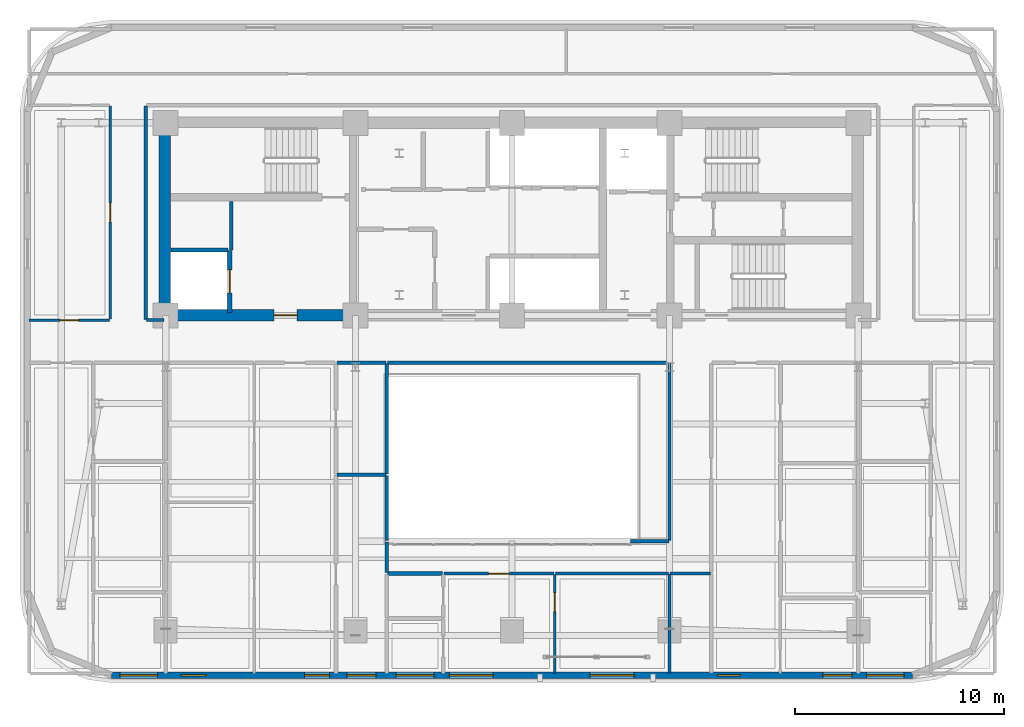
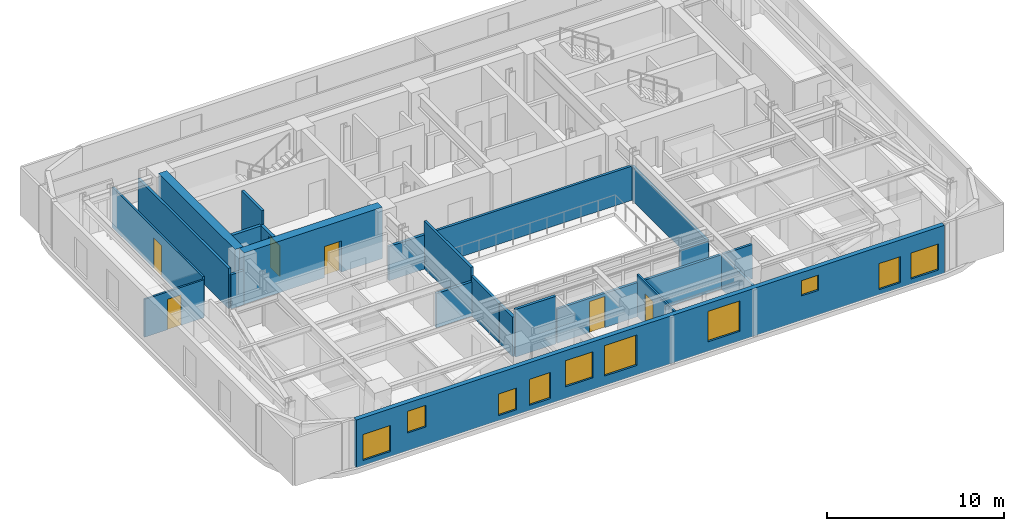
# One storey, part 7 of 13: 24 walls, 10 windows, 6 doors, 16 openings.
"""IFC4 building model written with IfcOpenShell, lengths in metres."""

from ifc_helpers import new_model, si_unit, direction, frame, frame_2d, origin, place, context, subcontext, project, spatial, rectangle, extrude, material, layer, layer_set, type_object, element, fill, save


model = new_model("IFC4")

# Units and contexts
model_context = context("Model", 3, precision=1e-05, world=origin(), true_north=direction((0.0, 1.0)))
body_context = subcontext(model_context, "Body", "Model", "MODEL_VIEW")
ifc_project = project(units=[si_unit("LENGTHUNIT", "METRE"), si_unit("AREAUNIT", "SQUARE_METRE"), si_unit("VOLUMEUNIT", "CUBIC_METRE"), si_unit("PLANEANGLEUNIT", "RADIAN"), si_unit("MASSUNIT", "GRAM", prefix="KILO")], contexts=[model_context])

# Site, building, storey
site_placement = place(None, origin())
site = spatial("IfcSite", under=ifc_project, at=site_placement, CompositionType="ELEMENT")
building_placement = place(site_placement, origin())
building = spatial("IfcBuilding", under=site, at=building_placement, Name="Zarnavel Station Tower", CompositionType="ELEMENT")
storey_placement = place(building_placement, frame((0.0, 0.0, 148.35009765625)))
storey = spatial("IfcBuildingStorey", under=building, at=storey_placement, Name="L40", CompositionType="ELEMENT", Elevation=148.35009765625)

# Wall, opening, door
ifc_material_1 = material(Name="Concrete C50/60", Category="concrete")
ifc_layer_1 = layer(ifc_material_1, 0.550048828125)
ifc_layer_set_1 = layer_set([ifc_layer_1], Name="CW_550")
wall_type_1 = type_object("IfcWallType", Name="CW_550", PredefinedType="SHEAR", material=ifc_layer_set_1)
wall_1_placement = place(storey_placement, frame((21.179931640625, 27.820068359375, 0.0), z_axis=(0.0, 0.0, 1.0), x_axis=(-1.0, 0.0, 0.0)))
wall_1 = element("IfcWall", 1, at=wall_1_placement, inside=storey, type_object=wall_type_1, Name="L40 Rear Core Shear Wall S-W", PredefinedType="SHEAR", context=body_context, shape_type="SweptSolid", body=[
    extrude(rectangle(XDim=9.030029296875, YDim=0.550048828125, at=frame_2d((4.51513671875, 0.0))), origin(), (0.0, 0.0, 1.0), 3.5498046875),
])
opening_1_placement = place(wall_1_placement, frame((2.679931640625, 0.0, 0.0)))
opening_1 = element("IfcOpeningElement", 2, at=opening_1_placement, cuts=wall_1, Name="Opening FD01", PredefinedType="OPENING", context=body_context, shape_type="SweptSolid", body=[
    extrude(rectangle(XDim=1.10009765625, YDim=2.14990234375, at=frame_2d((0.550048828125, 1.074951171875))), frame((0.0, 0.284912109375, 0.0), z_axis=(0.0, -1.0, 0.0), x_axis=(1.0, 0.0, 0.0)), (0.0, 0.0, 1.0), 0.570068359375),
])
ifc_material_2 = material(Name="Painted Galvanised Steel and Hardwood Leaf", Category="steel")
door_type_1 = type_object("IfcDoorType", Name="ID_STAIR_1100", OperationType="NOTDEFINED", PredefinedType="DOOR", material=ifc_material_2)
door_1_placement = place(opening_1_placement, origin())
door_1 = element("IfcDoor", 3, at=door_1_placement, inside=storey, type_object=door_type_1, Name="L40 West Firefighting Lobby Door", OperationType="SINGLE_SWING_RIGHT", OverallHeight=2.14990234375, OverallWidth=1.10009765625, PredefinedType="DOOR", context=body_context, shape_type="SweptSolid", body=[
    extrude(rectangle(XDim=1.10009765625, YDim=2.14990234375, at=frame_2d((0.550048828125, 1.074951171875))), frame((0.0, 0.02490234375, 0.0), z_axis=(0.0, -1.0, 0.0), x_axis=(1.0, 0.0, 0.0)), (0.0, 0.0, 1.0), 0.050048828125),
])
fill(opening_1, door_1)

# Wall
wall_2_placement = place(storey_placement, frame((12.14990234375, 28.094970703125, 0.0), z_axis=(0.0, 0.0, 1.0), x_axis=(0.0, 1.0, 0.0)))
element("IfcWall", 4, at=wall_2_placement, inside=storey, type_object=wall_type_1, Name="L40 Rear Core Shear Wall W", PredefinedType="SHEAR", context=body_context, shape_type="SweptSolid", body=[
    extrude(rectangle(XDim=8.679931640625, YDim=0.550048828125, at=frame_2d((4.33984375, 0.0))), origin(), (0.0, 0.0, 1.0), 3.5498046875),
])

# Wall, openings, windows
ifc_material_3 = material(Name="Precast concrete C45/55 (Dark Basalt Finish)", Category="masonry")
ifc_layer_2 = layer(ifc_material_3, 0.300048828125)
ifc_layer_set_2 = layer_set([ifc_layer_2], Name="EW_BASALT_300")
wall_type_2 = type_object("IfcWallType", Name="EW_BASALT_300", PredefinedType="SOLIDWALL", material=ifc_layer_set_2)
wall_3_placement = place(storey_placement, frame((48.0, 10.580078125, 0.0), z_axis=(0.0, 0.0, 1.0), x_axis=(-1.0, 0.0, 0.0)))
wall_3 = element("IfcWall", 5, at=wall_3_placement, inside=storey, type_object=wall_type_2, Name="L40 Exterior Basalt Masonry Frame Wall 12", PredefinedType="SOLIDWALL", context=body_context, shape_type="SweptSolid", body=[
    extrude(rectangle(XDim=38.39990234375, YDim=0.300048828125, at=frame_2d((19.199951171875, 0.0))), origin(), (0.0, 0.0, 1.0), 3.289794921875),
])
opening_2_placement = place(wall_3_placement, frame((36.18994140625, 0.0, 0.340087890625)))
opening_2 = element("IfcOpeningElement", 6, at=opening_2_placement, cuts=wall_3, Name="Opening WN02", PredefinedType="OPENING", context=body_context, shape_type="SweptSolid", body=[
    extrude(rectangle(XDim=1.800048828125, YDim=1.800048828125, at=frame_2d((0.89990234375, 0.89990234375))), frame((0.0, 0.159912109375, 0.0), z_axis=(0.0, -1.0, 0.0), x_axis=(1.0, 0.0, 0.0)), (0.0, 0.0, 1.0), 0.320068359375),
])
opening_3_placement = place(wall_3_placement, frame((27.93798828125, 0.0, 0.340087890625)))
opening_3 = element("IfcOpeningElement", 7, at=opening_3_placement, cuts=wall_3, Name="Opening WN08", PredefinedType="OPENING", context=body_context, shape_type="SweptSolid", body=[
    extrude(rectangle(XDim=1.199951171875, YDim=1.5, at=frame_2d((0.60009765625, 0.75))), frame((0.0, 0.159912109375, 0.0), z_axis=(0.0, -1.0, 0.0), x_axis=(1.0, 0.0, 0.0)), (0.0, 0.0, 1.0), 0.320068359375),
])
opening_4_placement = place(wall_3_placement, frame((25.718994140625, 0.0, 0.340087890625)))
opening_4 = element("IfcOpeningElement", 8, at=opening_4_placement, cuts=wall_3, Name="Opening WN01", PredefinedType="OPENING", context=body_context, shape_type="SweptSolid", body=[
    extrude(rectangle(XDim=1.39990234375, YDim=1.800048828125, at=frame_2d((0.699951171875, 0.89990234375))), frame((0.0, 0.159912109375, 0.0), z_axis=(0.0, -1.0, 0.0), x_axis=(1.0, 0.0, 0.0)), (0.0, 0.0, 1.0), 0.320068359375),
])
opening_5_placement = place(wall_3_placement, frame((33.86083984375, 0.0, 1.219970703125)))
opening_5 = element("IfcOpeningElement", 9, at=opening_5_placement, cuts=wall_3, Name="Opening WN08", PredefinedType="OPENING", context=body_context, shape_type="SweptSolid", body=[
    extrude(rectangle(XDim=1.199951171875, YDim=1.5, at=frame_2d((0.60009765625, 0.75))), frame((0.0, 0.159912109375, 0.0), z_axis=(0.0, -1.0, 0.0), x_axis=(1.0, 0.0, 0.0)), (0.0, 0.0, 1.0), 0.320068359375),
])
opening_6_placement = place(wall_3_placement, frame((20.10009765625, 0.0, 0.64990234375)))
opening_6 = element("IfcOpeningElement", 10, at=opening_6_placement, cuts=wall_3, Name="Opening WN05", PredefinedType="OPENING", context=body_context, shape_type="SweptSolid", body=[
    extrude(rectangle(XDim=2.10009765625, YDim=2.10009765625, at=frame_2d((1.050048828125, 1.050048828125))), frame((0.0, 0.159912109375, 0.0), z_axis=(0.0, -1.0, 0.0), x_axis=(1.0, 0.0, 0.0)), (0.0, 0.0, 1.0), 0.320068359375),
])
opening_7_placement = place(wall_3_placement, frame((22.949951171875, 0.0, 0.800048828125)))
opening_7 = element("IfcOpeningElement", 11, at=opening_7_placement, cuts=wall_3, Name="Opening WN02", PredefinedType="OPENING", context=body_context, shape_type="SweptSolid", body=[
    extrude(rectangle(XDim=1.800048828125, YDim=1.800048828125, at=frame_2d((0.89990234375, 0.89990234375))), frame((0.0, 0.159912109375, 0.0), z_axis=(0.0, -1.0, 0.0), x_axis=(1.0, 0.0, 0.0)), (0.0, 0.0, 1.0), 0.320068359375),
])
opening_8_placement = place(wall_3_placement, frame((13.35009765625, 0.0, 0.64990234375)))
opening_8 = element("IfcOpeningElement", 12, at=opening_8_placement, cuts=wall_3, Name="Opening WN05", PredefinedType="OPENING", context=body_context, shape_type="SweptSolid", body=[
    extrude(rectangle(XDim=2.10009765625, YDim=2.10009765625, at=frame_2d((1.050048828125, 1.050048828125))), frame((0.0, 0.159912109375, 0.0), z_axis=(0.0, -1.0, 0.0), x_axis=(1.0, 0.0, 0.0)), (0.0, 0.0, 1.0), 0.320068359375),
])
opening_9_placement = place(wall_3_placement, frame((8.25, 0.0, 1.679931640625)))
opening_9 = element("IfcOpeningElement", 13, at=opening_9_placement, cuts=wall_3, Name="Opening WN09", PredefinedType="OPENING", context=body_context, shape_type="SweptSolid", body=[
    extrude(rectangle(XDim=1.10009765625, YDim=1.050048828125, at=frame_2d((0.550048828125, 0.52490234375))), frame((0.0, 0.159912109375, 0.0), z_axis=(0.0, -1.0, 0.0), x_axis=(1.0, 0.0, 0.0)), (0.0, 0.0, 1.0), 0.320068359375),
])
opening_10_placement = place(wall_3_placement, frame((2.89990234375, 0.0, 0.340087890625)))
opening_10 = element("IfcOpeningElement", 14, at=opening_10_placement, cuts=wall_3, Name="Opening WN01", PredefinedType="OPENING", context=body_context, shape_type="SweptSolid", body=[
    extrude(rectangle(XDim=1.39990234375, YDim=1.800048828125, at=frame_2d((0.699951171875, 0.89990234375))), frame((0.0, 0.159912109375, 0.0), z_axis=(0.0, -1.0, 0.0), x_axis=(1.0, 0.0, 0.0)), (0.0, 0.0, 1.0), 0.320068359375),
])
opening_11_placement = place(wall_3_placement, frame((0.409912109375, 0.0, 0.340087890625)))
opening_11 = element("IfcOpeningElement", 15, at=opening_11_placement, cuts=wall_3, Name="Opening WN02", PredefinedType="OPENING", context=body_context, shape_type="SweptSolid", body=[
    extrude(rectangle(XDim=1.800048828125, YDim=1.800048828125, at=frame_2d((0.89990234375, 0.89990234375))), frame((0.0, 0.159912109375, 0.0), z_axis=(0.0, -1.0, 0.0), x_axis=(1.0, 0.0, 0.0)), (0.0, 0.0, 1.0), 0.320068359375),
])
ifc_material_4 = material(Name="Thermally Broken Black Aluminium and Low-E Dark Glass", Category="aluminium")
window_type_1 = type_object("IfcWindowType", Name="WN_1100x1050", PartitioningType="SINGLE_PANEL", PredefinedType="WINDOW", material=ifc_material_4)
window_1_placement = place(opening_9_placement, origin())
window_1 = element("IfcWindow", 16, at=window_1_placement, inside=storey, type_object=window_type_1, Name="L40 Recessed Facade Window 08", OverallHeight=1.050048828125, OverallWidth=1.10009765625, PartitioningType="SINGLE_PANEL", PredefinedType="WINDOW", context=body_context, shape_type="SweptSolid", body=[
    extrude(rectangle(XDim=1.10009765625, YDim=1.050048828125, at=frame_2d((0.550048828125, 0.52490234375))), frame((0.0, 0.030029296875, 0.0), z_axis=(0.0, -1.0, 0.0), x_axis=(1.0, 0.0, 0.0)), (0.0, 0.0, 1.0), 0.06005859375),
])
fill(opening_9, window_1)
ifc_material_5 = material(Name="Thermally Broken Black Aluminium and Low-E Dark Glass", Category="aluminium")
window_type_2 = type_object("IfcWindowType", Name="WN_1200x1500", PartitioningType="SINGLE_PANEL", PredefinedType="WINDOW", material=ifc_material_5)
window_2_placement = place(opening_3_placement, origin())
window_2 = element("IfcWindow", 17, at=window_2_placement, inside=storey, type_object=window_type_2, Name="L40 Recessed Facade Window 02", OverallHeight=1.5, OverallWidth=1.199951171875, PartitioningType="SINGLE_PANEL", PredefinedType="WINDOW", context=body_context, shape_type="SweptSolid", body=[
    extrude(rectangle(XDim=1.199951171875, YDim=1.5, at=frame_2d((0.60009765625, 0.75))), frame((0.0, 0.030029296875, 0.0), z_axis=(0.0, -1.0, 0.0), x_axis=(1.0, 0.0, 0.0)), (0.0, 0.0, 1.0), 0.06005859375),
])
fill(opening_3, window_2)
window_3_placement = place(opening_5_placement, origin())
window_3 = element("IfcWindow", 18, at=window_3_placement, inside=storey, type_object=window_type_2, Name="L40 Recessed Facade Window 04", OverallHeight=1.5, OverallWidth=1.199951171875, PartitioningType="SINGLE_PANEL", PredefinedType="WINDOW", context=body_context, shape_type="SweptSolid", body=[
    extrude(rectangle(XDim=1.199951171875, YDim=1.5, at=frame_2d((0.60009765625, 0.75))), frame((0.0, 0.030029296875, 0.0), z_axis=(0.0, -1.0, 0.0), x_axis=(1.0, 0.0, 0.0)), (0.0, 0.0, 1.0), 0.06005859375),
])
fill(opening_5, window_3)
ifc_material_6 = material(Name="Thermally Broken Black Aluminium and Low-E Dark Glass", Category="aluminium")
window_type_3 = type_object("IfcWindowType", Name="WN_1400x1800", PartitioningType="DOUBLE_PANEL_VERTICAL", PredefinedType="WINDOW", material=ifc_material_6)
window_4_placement = place(opening_4_placement, origin())
window_4 = element("IfcWindow", 19, at=window_4_placement, inside=storey, type_object=window_type_3, Name="L40 Recessed Facade Window 03", OverallHeight=1.800048828125, OverallWidth=1.39990234375, PartitioningType="SINGLE_PANEL", PredefinedType="WINDOW", context=body_context, shape_type="SweptSolid", body=[
    extrude(rectangle(XDim=1.39990234375, YDim=1.800048828125, at=frame_2d((0.699951171875, 0.89990234375))), frame((0.0, 0.030029296875, 0.0), z_axis=(0.0, -1.0, 0.0), x_axis=(1.0, 0.0, 0.0)), (0.0, 0.0, 1.0), 0.06005859375),
])
fill(opening_4, window_4)
window_5_placement = place(opening_10_placement, origin())
window_5 = element("IfcWindow", 20, at=window_5_placement, inside=storey, type_object=window_type_3, Name="L40 Recessed Facade Window 09", OverallHeight=1.800048828125, OverallWidth=1.39990234375, PartitioningType="SINGLE_PANEL", PredefinedType="WINDOW", context=body_context, shape_type="SweptSolid", body=[
    extrude(rectangle(XDim=1.39990234375, YDim=1.800048828125, at=frame_2d((0.699951171875, 0.89990234375))), frame((0.0, 0.030029296875, 0.0), z_axis=(0.0, -1.0, 0.0), x_axis=(1.0, 0.0, 0.0)), (0.0, 0.0, 1.0), 0.06005859375),
])
fill(opening_10, window_5)
ifc_material_7 = material(Name="Thermally Broken Black Aluminium and Low-E Dark Glass", Category="aluminium")
window_type_4 = type_object("IfcWindowType", Name="WN_1800x1800", PartitioningType="DOUBLE_PANEL_VERTICAL", PredefinedType="WINDOW", material=ifc_material_7)
window_6_placement = place(opening_2_placement, origin())
window_6 = element("IfcWindow", 21, at=window_6_placement, inside=storey, type_object=window_type_4, Name="L40 Recessed Facade Window 01", OverallHeight=1.800048828125, OverallWidth=1.800048828125, PartitioningType="SINGLE_PANEL", PredefinedType="WINDOW", context=body_context, shape_type="SweptSolid", body=[
    extrude(rectangle(XDim=1.800048828125, YDim=1.800048828125, at=frame_2d((0.89990234375, 0.89990234375))), frame((0.0, 0.030029296875, 0.0), z_axis=(0.0, -1.0, 0.0), x_axis=(1.0, 0.0, 0.0)), (0.0, 0.0, 1.0), 0.06005859375),
])
fill(opening_2, window_6)
window_7_placement = place(opening_7_placement, origin())
window_7 = element("IfcWindow", 22, at=window_7_placement, inside=storey, type_object=window_type_4, Name="L40 Recessed Facade Window 06", OverallHeight=1.800048828125, OverallWidth=1.800048828125, PartitioningType="SINGLE_PANEL", PredefinedType="WINDOW", context=body_context, shape_type="SweptSolid", body=[
    extrude(rectangle(XDim=1.800048828125, YDim=1.800048828125, at=frame_2d((0.89990234375, 0.89990234375))), frame((0.0, 0.030029296875, 0.0), z_axis=(0.0, -1.0, 0.0), x_axis=(1.0, 0.0, 0.0)), (0.0, 0.0, 1.0), 0.06005859375),
])
fill(opening_7, window_7)
window_8_placement = place(opening_11_placement, origin())
window_8 = element("IfcWindow", 23, at=window_8_placement, inside=storey, type_object=window_type_4, Name="L40 Recessed Facade Window 10", OverallHeight=1.800048828125, OverallWidth=1.800048828125, PartitioningType="SINGLE_PANEL", PredefinedType="WINDOW", context=body_context, shape_type="SweptSolid", body=[
    extrude(rectangle(XDim=1.800048828125, YDim=1.800048828125, at=frame_2d((0.89990234375, 0.89990234375))), frame((0.0, 0.030029296875, 0.0), z_axis=(0.0, -1.0, 0.0), x_axis=(1.0, 0.0, 0.0)), (0.0, 0.0, 1.0), 0.06005859375),
])
fill(opening_11, window_8)
ifc_material_8 = material(Name="Thermally Broken Black Aluminium and Low-E Dark Glass", Category="aluminium")
window_type_5 = type_object("IfcWindowType", Name="WN_2100x2100", PartitioningType="TRIPLE_PANEL_VERTICAL", PredefinedType="WINDOW", material=ifc_material_8)
window_9_placement = place(opening_6_placement, origin())
window_9 = element("IfcWindow", 24, at=window_9_placement, inside=storey, type_object=window_type_5, Name="L40 Recessed Facade Window 05", OverallHeight=2.10009765625, OverallWidth=2.10009765625, PartitioningType="SINGLE_PANEL", PredefinedType="WINDOW", context=body_context, shape_type="SweptSolid", body=[
    extrude(rectangle(XDim=2.10009765625, YDim=2.10009765625, at=frame_2d((1.050048828125, 1.050048828125))), frame((0.0, 0.030029296875, 0.0), z_axis=(0.0, -1.0, 0.0), x_axis=(1.0, 0.0, 0.0)), (0.0, 0.0, 1.0), 0.06005859375),
])
fill(opening_6, window_9)
window_10_placement = place(opening_8_placement, origin())
window_10 = element("IfcWindow", 25, at=window_10_placement, inside=storey, type_object=window_type_5, Name="L40 Recessed Facade Window 07", OverallHeight=2.10009765625, OverallWidth=2.10009765625, PartitioningType="SINGLE_PANEL", PredefinedType="WINDOW", context=body_context, shape_type="SweptSolid", body=[
    extrude(rectangle(XDim=2.10009765625, YDim=2.10009765625, at=frame_2d((1.050048828125, 1.050048828125))), frame((0.0, 0.030029296875, 0.0), z_axis=(0.0, -1.0, 0.0), x_axis=(1.0, 0.0, 0.0)), (0.0, 0.0, 1.0), 0.06005859375),
])
fill(opening_8, window_10)

# Wall, opening, door
ifc_material_9 = material(Name="Gypsum Twin-Stud Acoustic Fire Partition", Category="concrete")
ifc_layer_3 = layer(ifc_material_9, 0.159912109375)
ifc_layer_set_3 = layer_set([ifc_layer_3], Name="PT_DEMISE_160")
wall_type_3 = type_object("IfcWallType", Name="PT_DEMISE_160", PredefinedType="PARTITIONING", material=ifc_layer_set_3)
wall_4_placement = place(storey_placement, frame((25.5400390625, 15.449951171875, 0.0), z_axis=(0.0, 0.0, 1.0), x_axis=(1.0, 0.0, 0.0)))
wall_4 = element("IfcWall", 26, at=wall_4_placement, inside=storey, type_object=wall_type_3, Name="L40 Partition COR-AS-US1LV", PredefinedType="PARTITIONING", context=body_context, shape_type="SweptSolid", body=[
    extrude(rectangle(XDim=5.27001953125, YDim=0.159912109375, at=frame_2d((2.635009765625, 0.0))), origin(), (0.0, 0.0, 1.0), 2.35986328125),
])
opening_12_placement = place(wall_4_placement, frame((2.135009765625, 0.0, 0.0)))
opening_12 = element("IfcOpeningElement", 27, at=opening_12_placement, cuts=wall_4, Name="Opening FD02", PredefinedType="OPENING", context=body_context, shape_type="SweptSolid", body=[
    extrude(rectangle(XDim=1.0, YDim=2.14990234375, at=frame_2d((0.5, 1.074951171875))), frame((0.0, 0.08984375, 0.0), z_axis=(0.0, -1.0, 0.0), x_axis=(1.0, 0.0, 0.0)), (0.0, 0.0, 1.0), 0.179931640625),
])
ifc_material_10 = material(Name="Painted Galvanised Steel and Hardwood Leaf", Category="steel")
door_type_2 = type_object("IfcDoorType", Name="ID_ENTRY_1000", OperationType="NOTDEFINED", PredefinedType="DOOR", material=ifc_material_10)
door_2_placement = place(opening_12_placement, origin())
door_2 = element("IfcDoor", 28, at=door_2_placement, inside=storey, type_object=door_type_2, Name="L40 Door COR-AS-US1LV", OperationType="SINGLE_SWING_RIGHT", OverallHeight=2.14990234375, OverallWidth=1.0, PredefinedType="DOOR", context=body_context, shape_type="SweptSolid", body=[
    extrude(rectangle(XDim=1.0, YDim=2.14990234375, at=frame_2d((0.5, 1.074951171875))), frame((0.0, 0.02490234375, 0.0), z_axis=(0.0, -1.0, 0.0), x_axis=(1.0, 0.0, 0.0)), (0.0, 0.0, 1.0), 0.050048828125),
])
fill(opening_12, door_2)

# Walls
wall_5_placement = place(storey_placement, frame((30.889892578125, 15.449951171875, 0.0), z_axis=(0.0, 0.0, 1.0), x_axis=(1.0, 0.0, 0.0)))
element("IfcWall", 29, at=wall_5_placement, inside=storey, type_object=wall_type_3, Name="L40 Partition COR-AS-US1B1", PredefinedType="PARTITIONING", context=body_context, shape_type="SweptSolid", body=[
    extrude(rectangle(XDim=5.420166015625, YDim=0.159912109375, at=frame_2d((2.7099609375, 0.0))), origin(), (0.0, 0.0, 1.0), 2.35986328125),
])
wall_6_placement = place(storey_placement, frame((15.35009765625, 30.9599609375, 0.0), z_axis=(0.0, 0.0, 1.0), x_axis=(0.0, 1.0, 0.0)))
element("IfcWall", 30, at=wall_6_placement, inside=storey, type_object=wall_type_3, Name="L40 Enclosure Wall FFL1", PredefinedType="PARTITIONING", context=body_context, shape_type="SweptSolid", body=[
    extrude(rectangle(XDim=2.31005859375, YDim=0.159912109375, at=frame_2d((1.155029296875, 0.0))), origin(), (0.0, 0.0, 1.0), 3.289794921875),
])
wall_7_placement = place(storey_placement, frame((22.830078125, 25.550048828125, 0.0), z_axis=(0.0, 0.0, 1.0), x_axis=(1.0, 0.0, 0.0)))
element("IfcWall", 31, at=wall_7_placement, inside=storey, type_object=wall_type_3, Name="L40 Enclosure Wall COR-S", PredefinedType="PARTITIONING", context=body_context, shape_type="SweptSolid", body=[
    extrude(rectangle(XDim=13.489990234375, YDim=0.159912109375, at=frame_2d((6.7451171875, 0.0))), origin(), (0.0, 0.0, 1.0), 2.35986328125),
])
wall_8_placement = place(storey_placement, frame((11.280029296875, 27.60009765625, 0.0), z_axis=(0.0, 0.0, 1.0), x_axis=(1.0, 0.0, 0.0)))
element("IfcWall", 32, at=wall_8_placement, inside=storey, type_object=wall_type_3, Name="L40 Enclosure Wall COR-S", PredefinedType="PARTITIONING", context=body_context, shape_type="SweptSolid", body=[
    extrude(rectangle(XDim=0.840087890625, YDim=0.159912109375, at=frame_2d((0.419921875, 0.0))), origin(), (0.0, 0.0, 1.0), 2.35986328125),
])
wall_9_placement = place(storey_placement, frame((11.25, 27.6298828125, 0.0), z_axis=(0.0, 0.0, 1.0), x_axis=(0.0, 1.0, 0.0)))
element("IfcWall", 33, at=wall_9_placement, inside=storey, type_object=wall_type_3, Name="L40 Enclosure Wall COR-W", PredefinedType="PARTITIONING", context=body_context, shape_type="SweptSolid", body=[
    extrude(rectangle(XDim=10.240234375, YDim=0.159912109375, at=frame_2d((5.1201171875, 0.0))), origin(), (0.0, 0.0, 1.0), 2.77001953125),
])
wall_10_placement = place(storey_placement, frame((36.3798828125, 15.449951171875, 0.0), z_axis=(0.0, 0.0, 1.0), x_axis=(1.0, 0.0, 0.0)))
element("IfcWall", 34, at=wall_10_placement, inside=storey, type_object=wall_type_3, Name="L40 Enclosure Wall COR-AE", PredefinedType="PARTITIONING", context=body_context, shape_type="SweptSolid", body=[
    extrude(rectangle(XDim=1.940185546875, YDim=0.159912109375, at=frame_2d((0.97021484375, 0.0))), origin(), (0.0, 0.0, 1.0), 2.35986328125),
])
wall_11_placement = place(storey_placement, frame((36.35009765625, 17.030029296875, 0.0), z_axis=(0.0, 0.0, 1.0), x_axis=(0.0, 1.0, 0.0)))
element("IfcWall", 35, at=wall_11_placement, inside=storey, type_object=wall_type_3, Name="L40 Enclosure Wall COR-AE", PredefinedType="PARTITIONING", context=body_context, shape_type="SweptSolid", body=[
    extrude(rectangle(XDim=8.489990234375, YDim=0.159912109375, at=frame_2d((4.2451171875, 0.0))), origin(), (0.0, 0.0, 1.0), 2.35986328125),
])
wall_12_placement = place(storey_placement, frame((34.47998046875, 17.0, 0.0), z_axis=(0.0, 0.0, 1.0), x_axis=(1.0, 0.0, 0.0)))
element("IfcWall", 36, at=wall_12_placement, inside=storey, type_object=wall_type_3, Name="L40 Enclosure Wall COR-AS", PredefinedType="PARTITIONING", context=body_context, shape_type="SweptSolid", body=[
    extrude(rectangle(XDim=1.840087890625, YDim=0.159912109375, at=frame_2d((0.919921875, 0.0))), origin(), (0.0, 0.0, 1.0), 2.35986328125),
])
wall_13_placement = place(storey_placement, frame((22.800048828125, 17.030029296875, 0.0), z_axis=(0.0, 0.0, 1.0), x_axis=(0.0, 1.0, 0.0)))
element("IfcWall", 37, at=wall_13_placement, inside=storey, type_object=wall_type_3, Name="L40 Enclosure Wall UW2KT", PredefinedType="PARTITIONING", context=body_context, shape_type="SweptSolid", body=[
    extrude(rectangle(XDim=3.1298828125, YDim=0.159912109375, at=frame_2d((1.56494140625, 0.0))), origin(), (0.0, 0.0, 1.0), 2.72998046875),
])
wall_14_placement = place(storey_placement, frame((22.800048828125, 20.219970703125, 0.0), z_axis=(0.0, 0.0, 1.0), x_axis=(0.0, 1.0, 0.0)))
element("IfcWall", 38, at=wall_14_placement, inside=storey, type_object=wall_type_3, Name="L40 Enclosure Wall UW2BA", PredefinedType="PARTITIONING", context=body_context, shape_type="SweptSolid", body=[
    extrude(rectangle(XDim=5.300048828125, YDim=0.159912109375, at=frame_2d((2.64990234375, 0.0))), origin(), (0.0, 0.0, 1.0), 3.289794921875),
])
wall_15_placement = place(storey_placement, frame((36.35009765625, 10.68994140625, 0.0), z_axis=(0.0, 0.0, 1.0), x_axis=(0.0, 1.0, 0.0)))
element("IfcWall", 39, at=wall_15_placement, inside=storey, type_object=wall_type_3, Name="L40 Enclosure Wall US1B1", PredefinedType="PARTITIONING", context=body_context, shape_type="SweptSolid", body=[
    extrude(rectangle(XDim=4.72998046875, YDim=0.159912109375, at=frame_2d((2.364990234375, 0.0))), origin(), (0.0, 0.0, 1.0), 2.35986328125),
])

# Wall, opening, door
ifc_material_11 = material(Name="Gypsum Metal-Stud Interior Partition", Category="concrete")
ifc_layer_4 = layer(ifc_material_11, 0.1201171875)
ifc_layer_set_4 = layer_set([ifc_layer_4], Name="PT_ROOM_120")
wall_type_4 = type_object("IfcWallType", Name="PT_ROOM_120", PredefinedType="PARTITIONING", material=ifc_layer_set_4)
wall_16_placement = place(storey_placement, frame((5.659912109375, 27.60009765625, 0.0), z_axis=(0.0, 0.0, 1.0), x_axis=(1.0, 0.0, 0.0)))
wall_16 = element("IfcWall", 40, at=wall_16_placement, inside=storey, type_object=wall_type_4, Name="L40 Partition COR-S-FNW", PredefinedType="PARTITIONING", context=body_context, shape_type="SweptSolid", body=[
    extrude(rectangle(XDim=3.85009765625, YDim=0.1201171875, at=frame_2d((1.925048828125, 0.0))), origin(), (0.0, 0.0, 1.0), 2.619873046875),
])
opening_13_placement = place(wall_16_placement, frame((1.47509765625, 0.0, 0.0)))
opening_13 = element("IfcOpeningElement", 41, at=opening_13_placement, cuts=wall_16, Name="Opening ID01", PredefinedType="OPENING", context=body_context, shape_type="SweptSolid", body=[
    extrude(rectangle(XDim=0.89990234375, YDim=2.10009765625, at=frame_2d((0.449951171875, 1.050048828125))), frame((0.0, 0.070068359375, 0.0), z_axis=(0.0, -1.0, 0.0), x_axis=(1.0, 0.0, 0.0)), (0.0, 0.0, 1.0), 0.14013671875),
])
ifc_material_12 = material(Name="Painted Galvanised Steel and Hardwood Leaf", Category="steel")
door_type_3 = type_object("IfcDoorType", Name="ID_ROOM_900", OperationType="NOTDEFINED", PredefinedType="DOOR", material=ifc_material_12)
door_3_placement = place(opening_13_placement, origin())
door_3 = element("IfcDoor", 42, at=door_3_placement, inside=storey, type_object=door_type_3, Name="L40 Door COR-S-FNW", OperationType="SINGLE_SWING_LEFT", OverallHeight=2.10009765625, OverallWidth=0.89990234375, PredefinedType="DOOR", context=body_context, shape_type="SweptSolid", body=[
    extrude(rectangle(XDim=0.89990234375, YDim=2.10009765625, at=frame_2d((0.449951171875, 1.050048828125))), frame((0.0, 0.02490234375, 0.0), z_axis=(0.0, -1.0, 0.0), x_axis=(1.0, 0.0, 0.0)), (0.0, 0.0, 1.0), 0.050048828125),
])
fill(opening_13, door_3)

wall_17_placement = place(storey_placement, frame((9.550048828125, 27.639892578125, 0.0), z_axis=(0.0, 0.0, 1.0), x_axis=(0.0, 1.0, 0.0)))
wall_17 = element("IfcWall", 43, at=wall_17_placement, inside=storey, type_object=wall_type_4, Name="L40 Partition COR-W-FNW", PredefinedType="PARTITIONING", context=body_context, shape_type="SweptSolid", body=[
    extrude(rectangle(XDim=10.22021484375, YDim=0.1201171875, at=frame_2d((5.110107421875, 0.0))), origin(), (0.0, 0.0, 1.0), 2.77001953125),
])
opening_14_placement = place(wall_17_placement, frame((4.659912109375, 0.0, 0.0)))
opening_14 = element("IfcOpeningElement", 44, at=opening_14_placement, cuts=wall_17, Name="Opening ID01", PredefinedType="OPENING", context=body_context, shape_type="SweptSolid", body=[
    extrude(rectangle(XDim=0.89990234375, YDim=2.10009765625, at=frame_2d((0.449951171875, 1.050048828125))), frame((0.0, 0.070068359375, 0.0), z_axis=(0.0, -1.0, 0.0), x_axis=(1.0, 0.0, 0.0)), (0.0, 0.0, 1.0), 0.14013671875),
])
door_4_placement = place(opening_14_placement, origin())
door_4 = element("IfcDoor", 45, at=door_4_placement, inside=storey, type_object=door_type_3, Name="L40 Door COR-W-FNW", OperationType="SINGLE_SWING_LEFT", OverallHeight=2.10009765625, OverallWidth=0.89990234375, PredefinedType="DOOR", context=body_context, shape_type="SweptSolid", body=[
    extrude(rectangle(XDim=0.89990234375, YDim=2.10009765625, at=frame_2d((0.449951171875, 1.050048828125))), frame((0.0, 0.02490234375, 0.0), z_axis=(0.0, -1.0, 0.0), x_axis=(1.0, 0.0, 0.0)), (0.0, 0.0, 1.0), 0.050048828125),
])
fill(opening_14, door_4)

wall_18_placement = place(storey_placement, frame((30.85009765625, 10.659912109375, 0.0), z_axis=(0.0, 0.0, 1.0), x_axis=(0.0, 1.0, 0.0)))
wall_18 = element("IfcWall", 46, at=wall_18_placement, inside=storey, type_object=wall_type_4, Name="L40 Partition US1LV-US1B1", PredefinedType="PARTITIONING", context=body_context, shape_type="SweptSolid", body=[
    extrude(rectangle(XDim=4.75, YDim=0.1201171875, at=frame_2d((2.375, 0.0))), origin(), (0.0, 0.0, 1.0), 2.909912109375),
])
opening_15_placement = place(wall_18_placement, frame((2.96630859375, 0.0, 0.0)))
opening_15 = element("IfcOpeningElement", 47, at=opening_15_placement, cuts=wall_18, Name="Opening ID01", PredefinedType="OPENING", context=body_context, shape_type="SweptSolid", body=[
    extrude(rectangle(XDim=0.89990234375, YDim=2.10009765625, at=frame_2d((0.449951171875, 1.050048828125))), frame((0.0, 0.070068359375, 0.0), z_axis=(0.0, -1.0, 0.0), x_axis=(1.0, 0.0, 0.0)), (0.0, 0.0, 1.0), 0.14013671875),
])
door_5_placement = place(opening_15_placement, origin())
door_5 = element("IfcDoor", 48, at=door_5_placement, inside=storey, type_object=door_type_3, Name="L40 Door US1LV-US1B1", OperationType="SINGLE_SWING_RIGHT", OverallHeight=2.10009765625, OverallWidth=0.89990234375, PredefinedType="DOOR", context=body_context, shape_type="SweptSolid", body=[
    extrude(rectangle(XDim=0.89990234375, YDim=2.10009765625, at=frame_2d((0.449951171875, 1.050048828125))), frame((0.0, 0.02490234375, 0.0), z_axis=(0.0, -1.0, 0.0), x_axis=(1.0, 0.0, 0.0)), (0.0, 0.0, 1.0), 0.050048828125),
])
fill(opening_15, door_5)

ifc_material_13 = material(Name="Precast concrete C45/55 (Fire Shaft Blockwork)", Category="masonry")
ifc_layer_5 = layer(ifc_material_13, 0.199951171875)
ifc_layer_set_5 = layer_set([ifc_layer_5], Name="PT_SHAFT_200")
wall_type_5 = type_object("IfcWallType", Name="PT_SHAFT_200", PredefinedType="PARTITIONING", material=ifc_layer_set_5)
wall_19_placement = place(storey_placement, frame((15.27001953125, 27.969970703125, 0.0), z_axis=(0.0, 0.0, 1.0), x_axis=(0.0, 1.0, 0.0)))
wall_19 = element("IfcWall", 49, at=wall_19_placement, inside=storey, type_object=wall_type_5, Name="L40 Lift FFL-01 Shaft Front Wall", PredefinedType="PARTITIONING", context=body_context, shape_type="SweptSolid", body=[
    extrude(rectangle(XDim=2.9599609375, YDim=0.199951171875, at=frame_2d((1.47998046875, 0.0))), origin(), (0.0, 0.0, 1.0), 2.35986328125),
])
opening_16_placement = place(wall_19_placement, frame((0.929931640625, 0.0, 0.0)))
opening_16 = element("IfcOpeningElement", 50, at=opening_16_placement, cuts=wall_19, Name="Opening LD01", PredefinedType="OPENING", context=body_context, shape_type="SweptSolid", body=[
    extrude(rectangle(XDim=1.10009765625, YDim=2.14990234375, at=frame_2d((0.550048828125, 1.074951171875))), frame((0.0, 0.10986328125, 0.0), z_axis=(0.0, -1.0, 0.0), x_axis=(1.0, 0.0, 0.0)), (0.0, 0.0, 1.0), 0.219970703125),
])
ifc_material_14 = material(Name="Painted Galvanised Steel and Hardwood Leaf", Category="steel")
door_type_4 = type_object("IfcDoorType", Name="LD_FF_1100", OperationType="DOUBLE_DOOR_SLIDING", PredefinedType="DOOR", material=ifc_material_14)
door_6_placement = place(opening_16_placement, origin())
door_6 = element("IfcDoor", 51, at=door_6_placement, inside=storey, type_object=door_type_4, Name="L40 Lift FFL-01 Sliding Landing Door", OperationType="DOUBLE_DOOR_SLIDING", OverallHeight=2.14990234375, OverallWidth=1.10009765625, PredefinedType="DOOR", context=body_context, shape_type="SweptSolid", body=[
    extrude(rectangle(XDim=1.10009765625, YDim=2.14990234375, at=frame_2d((0.550048828125, 1.074951171875))), frame((0.0, 0.02490234375, 0.0), z_axis=(0.0, -1.0, 0.0), x_axis=(1.0, 0.0, 0.0)), (0.0, 0.0, 1.0), 0.050048828125),
])
fill(opening_16, door_6)

# Walls
wall_20_placement = place(storey_placement, frame((12.449951171875, 30.949951171875, 0.0), z_axis=(0.0, 0.0, 1.0), x_axis=(1.0, 0.0, 0.0)))
element("IfcWall", 52, at=wall_20_placement, inside=storey, type_object=wall_type_5, Name="L40 Lift FFL-01 North Shaft Wall", PredefinedType="PARTITIONING", context=body_context, shape_type="SweptSolid", body=[
    extrude(rectangle(XDim=2.75, YDim=0.199951171875, at=frame_2d((1.375, 0.0))), origin(), (0.0, 0.0, 1.0), 2.35986328125),
])
ifc_material_15 = material(Name="Moisture-Resistant Plumbing Chase Wall", Category="concrete")
ifc_layer_6 = layer(ifc_material_15, 0.179931640625)
ifc_layer_set_6 = layer_set([ifc_layer_6], Name="PW_PLUMB_180")
wall_type_6 = type_object("IfcWallType", Name="PW_PLUMB_180", PredefinedType="PLUMBINGWALL", material=ifc_layer_set_6)
wall_21_placement = place(storey_placement, frame((20.402099609375, 25.550048828125, 0.0), z_axis=(0.0, 0.0, 1.0), x_axis=(1.0, 0.0, 0.0)))
element("IfcWall", 53, at=wall_21_placement, inside=storey, type_object=wall_type_6, Name="L40 Partition COR-S-UW2BA", PredefinedType="PLUMBINGWALL", context=body_context, shape_type="SweptSolid", body=[
    extrude(rectangle(XDim=2.35791015625, YDim=0.179931640625, at=frame_2d((1.178955078125, 0.0))), origin(), (0.0, 0.0, 1.0), 2.35986328125),
])
wall_22_placement = place(storey_placement, frame((22.800048828125, 15.489990234375, 0.0), z_axis=(0.0, 0.0, 1.0), x_axis=(0.0, 1.0, 0.0)))
element("IfcWall", 54, at=wall_22_placement, inside=storey, type_object=wall_type_6, Name="L40 Partition COR-AS-UW2KT", PredefinedType="PLUMBINGWALL", context=body_context, shape_type="SweptSolid", body=[
    extrude(rectangle(XDim=1.469970703125, YDim=0.179931640625, at=frame_2d((0.73486328125, 0.0))), origin(), (0.0, 0.0, 1.0), 2.72998046875),
])
wall_23_placement = place(storey_placement, frame((22.840087890625, 15.449951171875, 0.0), z_axis=(0.0, 0.0, 1.0), x_axis=(1.0, 0.0, 0.0)))
element("IfcWall", 55, at=wall_23_placement, inside=storey, type_object=wall_type_6, Name="L40 Partition COR-AS-US1BA", PredefinedType="PLUMBINGWALL", context=body_context, shape_type="SweptSolid", body=[
    extrude(rectangle(XDim=2.619873046875, YDim=0.179931640625, at=frame_2d((1.31005859375, 0.0))), origin(), (0.0, 0.0, 1.0), 3.289794921875),
])
wall_24_placement = place(storey_placement, frame((20.402099609375, 20.18994140625, 0.0), z_axis=(0.0, 0.0, 1.0), x_axis=(1.0, 0.0, 0.0)))
element("IfcWall", 56, at=wall_24_placement, inside=storey, type_object=wall_type_6, Name="L40 Partition UW2KT-UW2BA", PredefinedType="PLUMBINGWALL", context=body_context, shape_type="SweptSolid", body=[
    extrude(rectangle(XDim=2.35791015625, YDim=0.179931640625, at=frame_2d((1.178955078125, 0.0))), origin(), (0.0, 0.0, 1.0), 2.35986328125),
])

save(model, "model.ifc")
